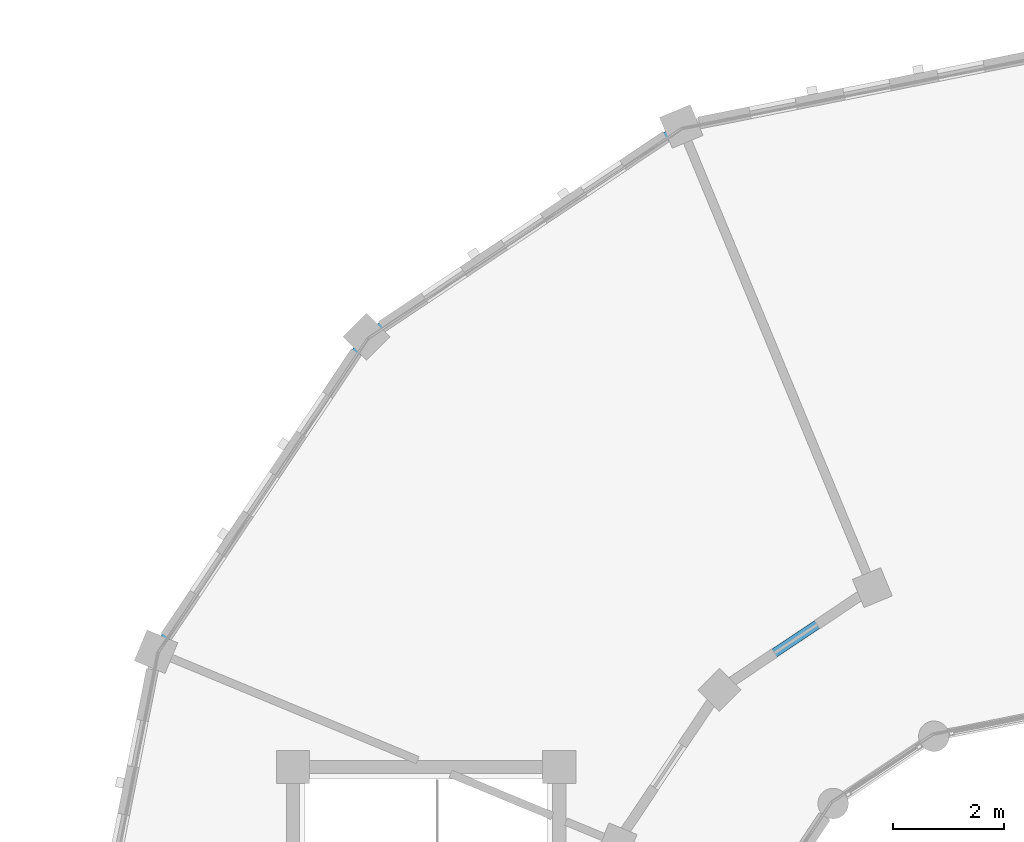
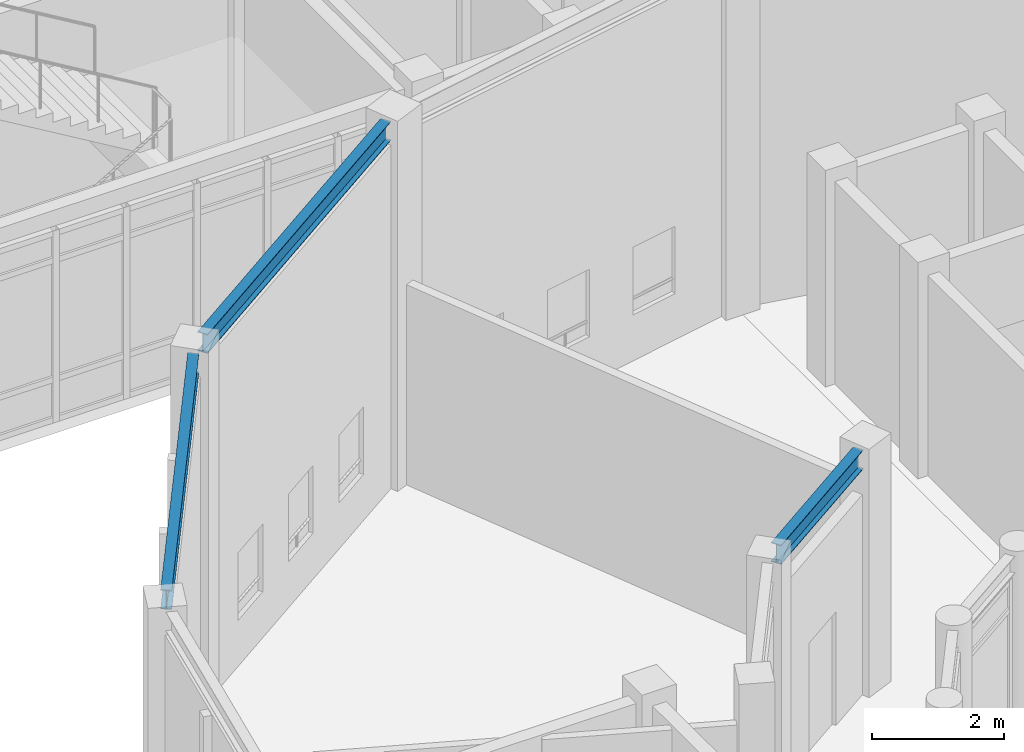
# One storey, part 14 of 149: 3 beams.
"""IFC4 building model written with IfcOpenShell, lengths in metres."""

from ifc_helpers import new_model, si_unit, direction, frame, origin, origin_2d, place, context, subcontext, project, spatial, i_section, extrude, material, material_profile, profile_set, type_object, element, save


model = new_model("IFC4")

# Units and contexts
model_context = context("Model", 3, precision=1e-05, world=origin(), true_north=direction((0.0, 1.0)))
body_context = subcontext(model_context, "Body", "Model", "MODEL_VIEW")
ifc_project = project(units=[si_unit("LENGTHUNIT", "METRE"), si_unit("AREAUNIT", "SQUARE_METRE"), si_unit("VOLUMEUNIT", "CUBIC_METRE"), si_unit("PLANEANGLEUNIT", "RADIAN"), si_unit("MASSUNIT", "GRAM", prefix="KILO")], contexts=[model_context])

# Site, building, storey
site_placement = place(None, origin())
site = spatial("IfcSite", under=ifc_project, at=site_placement, CompositionType="ELEMENT")
building_placement = place(site_placement, origin())
building = spatial("IfcBuilding", under=site, at=building_placement, Name="Celadon Cloister-Ring School", CompositionType="ELEMENT")
storey_placement = place(building_placement, frame((0.0, 0.0, 12.5)))
storey = spatial("IfcBuildingStorey", under=building, at=storey_placement, Name="L03", CompositionType="ELEMENT", Elevation=12.5)

# Beams
ifc_material_1 = material(Name="Structural steel S355JR", Category="steel")
ifc_material_profile_1 = material_profile(ifc_material_1, i_section(OverallWidth=0.1708984375, OverallDepth=0.35498046875, WebThickness=0.007080078125, FlangeThickness=0.01171875, at=origin_2d()), Name="W360X51")
ifc_profile_set_1 = profile_set([ifc_material_profile_1], Name="Structural steel S355JR")
beam_type_1 = type_object("IfcBeamType", Name="GT-08", PredefinedType="USERDEFINED", material=ifc_profile_set_1)
beam_1_placement = place(storey_placement, frame((16.739013671875, 27.714111328125, 4.322998046875), z_axis=(-0.831315995752, -0.555800067657, 0.0), x_axis=(0.555800067657, -0.831315995752, 0.0)))
element("IfcBeam", 1, at=beam_1_placement, inside=storey, type_object=beam_type_1, Name="Beam 1085", ObjectType="GIRDER", PredefinedType="USERDEFINED", context=body_context, shape_type="SweptSolid", body=[
    extrude(i_section(OverallWidth=0.1708984375, OverallDepth=0.35498046875, WebThickness=0.007080078125, FlangeThickness=0.01171875, at=origin_2d()), origin(), (0.0, 0.0, 1.0), 2.816162109375),
])
ifc_material_2 = material(Name="Structural steel S355JR", Category="steel")
ifc_material_profile_2 = material_profile(ifc_material_2, i_section(OverallWidth=0.1708984375, OverallDepth=0.35498046875, WebThickness=0.007080078125, FlangeThickness=0.01171875, at=origin_2d()), Name="W360X51")
ifc_profile_set_2 = profile_set([ifc_material_profile_2], Name="Structural steel S355JR")
beam_type_2 = type_object("IfcBeamType", Name="SP-04", PredefinedType="SPANDREL", material=ifc_profile_set_2)
beam_2_placement = place(storey_placement, frame((13.27392578125, 36.014892578125, 6.572998046875), z_axis=(-0.831427473898, -0.555633292422, 0.0), x_axis=(0.555633292422, -0.831427473898, 0.0)))
element("IfcBeam", 2, at=beam_2_placement, inside=storey, type_object=beam_type_2, Name="Beam 1084", PredefinedType="SPANDREL", context=body_context, shape_type="SweptSolid", body=[
    extrude(i_section(OverallWidth=0.1708984375, OverallDepth=0.35498046875, WebThickness=0.007080078125, FlangeThickness=0.01171875, at=origin_2d()), origin(), (0.0, 0.0, 1.0), 6.277099609375),
])
beam_3_placement = place(storey_placement, frame((7.673095703125, 32.14501953125, 6.572998046875), z_axis=(-0.555660177561, -0.831409506244, 0.0), x_axis=(0.831409506244, -0.555660177561, 0.0)))
element("IfcBeam", 3, at=beam_3_placement, inside=storey, type_object=beam_type_2, Name="Beam 1087", PredefinedType="SPANDREL", context=body_context, shape_type="SweptSolid", body=[
    extrude(i_section(OverallWidth=0.1708984375, OverallDepth=0.35498046875, WebThickness=0.007080078125, FlangeThickness=0.01171875, at=origin_2d()), origin(), (0.0, 0.0, 1.0), 6.27734375),
])

save(model, "model.ifc")
